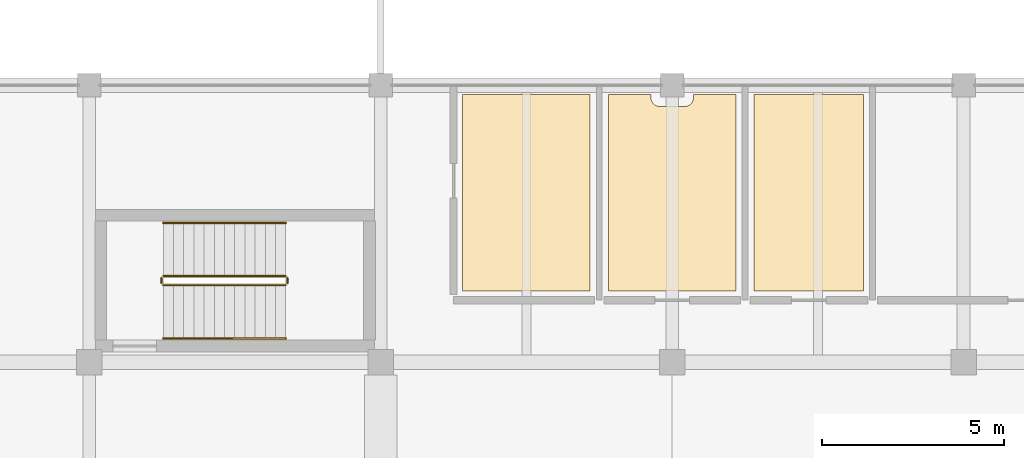
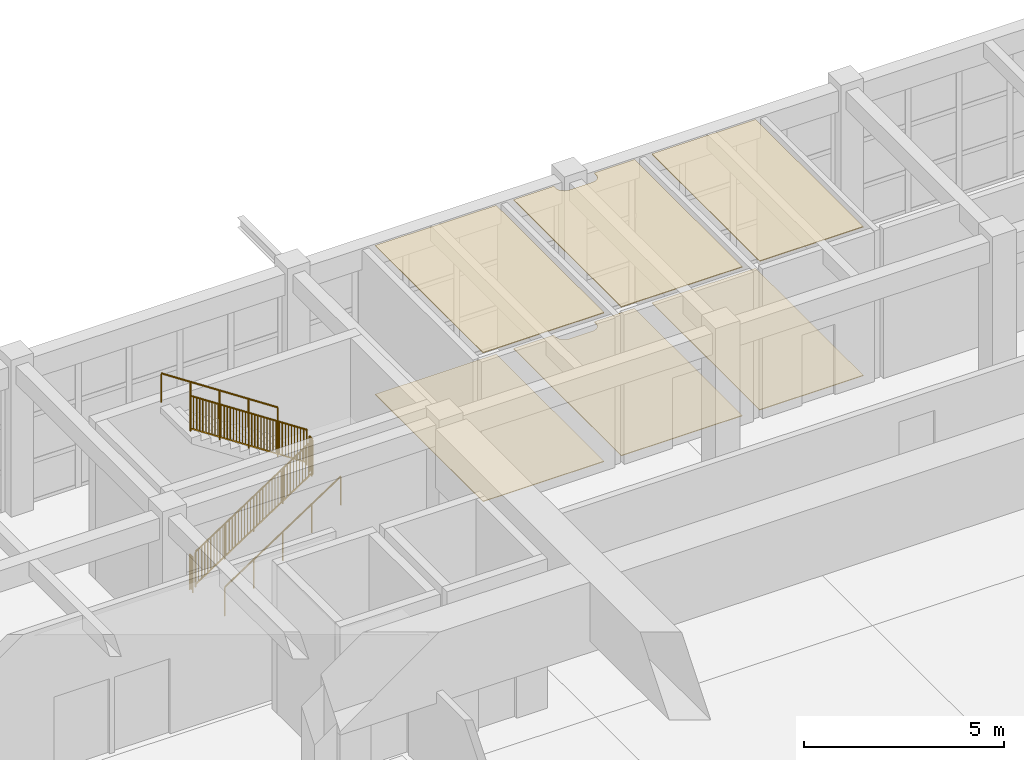
# One storey, part 45 of 50: 6 coverings, 6 railings.
"""IFC4 building model written with IfcOpenShell, lengths in metres."""

from ifc_helpers import new_model, si_unit, direction, frame, origin, origin_2d, place, context, subcontext, project, spatial, polyline, rectangle, circle, outline, extrude, material, layer, layer_set, type_object, element, save


model = new_model("IFC4")

# Units and contexts
model_context = context("Model", 3, precision=1e-05, world=origin(), true_north=direction((0.0, 1.0)))
body_context = subcontext(model_context, "Body", "Model", "MODEL_VIEW")
ifc_project = project(units=[si_unit("LENGTHUNIT", "METRE"), si_unit("AREAUNIT", "SQUARE_METRE"), si_unit("VOLUMEUNIT", "CUBIC_METRE"), si_unit("PLANEANGLEUNIT", "RADIAN"), si_unit("MASSUNIT", "GRAM", prefix="KILO")], contexts=[model_context])

# Site, building, storey
site_placement = place(None, origin())
site = spatial("IfcSite", under=ifc_project, at=site_placement, CompositionType="ELEMENT")
building_placement = place(site_placement, origin())
building = spatial("IfcBuilding", under=site, at=building_placement, Name="Zantavel Square City Hall", CompositionType="ELEMENT")
storey_placement = place(building_placement, frame((0.0, 0.0, 18.89990234375)))
storey = spatial("IfcBuildingStorey", under=building, at=storey_placement, Name="L05", CompositionType="ELEMENT", Elevation=18.89990234375)

# Railings
ifc_material_1 = material(Name="Steel ASTM A500 Grade B", Category="steel")
railing_type_1 = type_object("IfcRailingType", Name="Atrium & Gallery Steel Guard Railing 1100mm", PredefinedType="GUARDRAIL", material=ifc_material_1)
railing_1_placement = place(storey_placement, frame((66.030029296875, 62.909912109375, 0.184814453125)))
element("IfcRailing", 1, at=railing_1_placement, inside=storey, type_object=railing_type_1, Name="L05 ST5 stair guard 1", PredefinedType="GUARDRAIL", context=body_context, shape_type="SweptSolid", body=[
    extrude(circle(Radius=0.02392578125, at=origin_2d()), frame((0.0, 0.0, 1.076171875), z_axis=(0.834858096282, 0.0, 0.550465220583), x_axis=(0.0, 1.0, 0.0)), (0.0, 0.0, 1.0), 4.0244140625),
    extrude(rectangle(XDim=0.031982421875, YDim=0.031982421875, at=origin_2d()), frame((0.0, 0.0, 0.080078125), z_axis=(0.834858096282, 0.0, 0.550465220583), x_axis=(0.0, 1.0, 0.0)), (0.0, 0.0, 1.0), 4.0244140625),
    extrude(rectangle(XDim=0.02197265625, YDim=0.02197265625, at=origin_2d()), frame((0.08837890625, 0.0, 0.13818359375)), (0.0, 0.0, 1.0), 0.971923828125),
    extrude(rectangle(XDim=0.02197265625, YDim=0.02197265625, at=origin_2d()), frame((0.1767578125, 0.0, 0.196533203125)), (0.0, 0.0, 1.0), 0.971923828125),
    extrude(rectangle(XDim=0.02197265625, YDim=0.02197265625, at=origin_2d()), frame((0.26513671875, 0.0, 0.2548828125)), (0.0, 0.0, 1.0), 0.971923828125),
    extrude(rectangle(XDim=0.02197265625, YDim=0.02197265625, at=origin_2d()), frame((0.353759765625, 0.0, 0.313232421875)), (0.0, 0.0, 1.0), 0.971923828125),
    extrude(rectangle(XDim=0.02197265625, YDim=0.02197265625, at=origin_2d()), frame((0.442138671875, 0.0, 0.37158203125)), (0.0, 0.0, 1.0), 0.971923828125),
    extrude(rectangle(XDim=0.02197265625, YDim=0.02197265625, at=origin_2d()), frame((0.530517578125, 0.0, 0.4296875)), (0.0, 0.0, 1.0), 0.971923828125),
    extrude(rectangle(XDim=0.02197265625, YDim=0.02197265625, at=origin_2d()), frame((0.618896484375, 0.0, 0.488037109375)), (0.0, 0.0, 1.0), 0.971923828125),
    extrude(rectangle(XDim=0.02197265625, YDim=0.02197265625, at=origin_2d()), frame((0.707275390625, 0.0, 0.54638671875)), (0.0, 0.0, 1.0), 0.971923828125),
    extrude(rectangle(XDim=0.02197265625, YDim=0.02197265625, at=origin_2d()), frame((0.795654296875, 0.0, 0.604736328125)), (0.0, 0.0, 1.0), 0.971923828125),
    extrude(rectangle(XDim=0.02197265625, YDim=0.02197265625, at=origin_2d()), frame((0.88427734375, 0.0, 0.6630859375)), (0.0, 0.0, 1.0), 0.971923828125),
    extrude(rectangle(XDim=0.02197265625, YDim=0.02197265625, at=origin_2d()), frame((0.97265625, 0.0, 0.72119140625)), (0.0, 0.0, 1.0), 0.971923828125),
    extrude(rectangle(XDim=0.02197265625, YDim=0.02197265625, at=origin_2d()), frame((1.06103515625, 0.0, 0.779541015625)), (0.0, 0.0, 1.0), 0.971923828125),
    extrude(rectangle(XDim=0.02197265625, YDim=0.02197265625, at=origin_2d()), frame((1.1494140625, 0.0, 0.837890625)), (0.0, 0.0, 1.0), 0.971923828125),
    extrude(rectangle(XDim=0.02197265625, YDim=0.02197265625, at=origin_2d()), frame((1.23779296875, 0.0, 0.896240234375)), (0.0, 0.0, 1.0), 0.971923828125),
    extrude(rectangle(XDim=0.02197265625, YDim=0.02197265625, at=origin_2d()), frame((1.326171875, 0.0, 0.95458984375)), (0.0, 0.0, 1.0), 0.971923828125),
    extrude(rectangle(XDim=0.02197265625, YDim=0.02197265625, at=origin_2d()), frame((1.414794921875, 0.0, 1.0126953125)), (0.0, 0.0, 1.0), 0.971923828125),
    extrude(rectangle(XDim=0.02197265625, YDim=0.02197265625, at=origin_2d()), frame((1.503173828125, 0.0, 1.071044921875)), (0.0, 0.0, 1.0), 0.971923828125),
    extrude(rectangle(XDim=0.02197265625, YDim=0.02197265625, at=origin_2d()), frame((1.591552734375, 0.0, 1.12939453125)), (0.0, 0.0, 1.0), 0.971923828125),
    extrude(rectangle(XDim=0.02197265625, YDim=0.02197265625, at=origin_2d()), frame((1.768310546875, 0.0, 1.245849609375)), (0.0, 0.0, 1.0), 0.971923828125),
    extrude(rectangle(XDim=0.02197265625, YDim=0.02197265625, at=origin_2d()), frame((1.856689453125, 0.0, 1.30419921875)), (0.0, 0.0, 1.0), 0.971923828125),
    extrude(rectangle(XDim=0.02197265625, YDim=0.02197265625, at=origin_2d()), frame((1.945068359375, 0.0, 1.362548828125)), (0.0, 0.0, 1.0), 0.971923828125),
    extrude(rectangle(XDim=0.02197265625, YDim=0.02197265625, at=origin_2d()), frame((2.03369140625, 0.0, 1.4208984375)), (0.0, 0.0, 1.0), 0.971923828125),
    extrude(rectangle(XDim=0.02197265625, YDim=0.02197265625, at=origin_2d()), frame((2.1220703125, 0.0, 1.479248046875)), (0.0, 0.0, 1.0), 0.971923828125),
    extrude(rectangle(XDim=0.02197265625, YDim=0.02197265625, at=origin_2d()), frame((2.21044921875, 0.0, 1.537353515625)), (0.0, 0.0, 1.0), 0.971923828125),
    extrude(rectangle(XDim=0.02197265625, YDim=0.02197265625, at=origin_2d()), frame((2.298828125, 0.0, 1.595703125)), (0.0, 0.0, 1.0), 0.971923828125),
    extrude(rectangle(XDim=0.02197265625, YDim=0.02197265625, at=origin_2d()), frame((2.38720703125, 0.0, 1.654052734375)), (0.0, 0.0, 1.0), 0.971923828125),
    extrude(rectangle(XDim=0.02197265625, YDim=0.02197265625, at=origin_2d()), frame((2.4755859375, 0.0, 1.71240234375)), (0.0, 0.0, 1.0), 0.971923828125),
    extrude(rectangle(XDim=0.02197265625, YDim=0.02197265625, at=origin_2d()), frame((2.564208984375, 0.0, 1.770751953125)), (0.0, 0.0, 1.0), 0.971923828125),
    extrude(rectangle(XDim=0.02197265625, YDim=0.02197265625, at=origin_2d()), frame((2.652587890625, 0.0, 1.828857421875)), (0.0, 0.0, 1.0), 0.971923828125),
    extrude(rectangle(XDim=0.02197265625, YDim=0.02197265625, at=origin_2d()), frame((2.740966796875, 0.0, 1.88720703125)), (0.0, 0.0, 1.0), 0.971923828125),
    extrude(rectangle(XDim=0.02197265625, YDim=0.02197265625, at=origin_2d()), frame((2.829345703125, 0.0, 1.945556640625)), (0.0, 0.0, 1.0), 0.971923828125),
    extrude(rectangle(XDim=0.02197265625, YDim=0.02197265625, at=origin_2d()), frame((2.917724609375, 0.0, 2.00390625)), (0.0, 0.0, 1.0), 0.971923828125),
    extrude(rectangle(XDim=0.02197265625, YDim=0.02197265625, at=origin_2d()), frame((3.006103515625, 0.0, 2.062255859375)), (0.0, 0.0, 1.0), 0.971923828125),
    extrude(rectangle(XDim=0.02197265625, YDim=0.02197265625, at=origin_2d()), frame((3.0947265625, 0.0, 2.120361328125)), (0.0, 0.0, 1.0), 0.971923828125),
    extrude(rectangle(XDim=0.02197265625, YDim=0.02197265625, at=origin_2d()), frame((3.18310546875, 0.0, 2.1787109375)), (0.0, 0.0, 1.0), 0.971923828125),
    extrude(rectangle(XDim=0.02197265625, YDim=0.02197265625, at=origin_2d()), frame((3.271484375, 0.0, 2.237060546875)), (0.0, 0.0, 1.0), 0.971923828125),
    extrude(circle(Radius=0.02099609375, at=origin_2d()), origin(), (0.0, 0.0, 1.0), 1.052001953125),
    extrude(circle(Radius=0.02099609375, at=origin_2d()), frame((0.83984375, 0.0, 0.5537109375)), (0.0, 0.0, 1.0), 1.052001953125),
    extrude(circle(Radius=0.02099609375, at=origin_2d()), frame((1.679931640625, 0.0, 1.107666015625)), (0.0, 0.0, 1.0), 1.052001953125),
    extrude(circle(Radius=0.02099609375, at=origin_2d()), frame((2.52001953125, 0.0, 1.66162109375)), (0.0, 0.0, 1.0), 1.052001953125),
    extrude(circle(Radius=0.02099609375, at=origin_2d()), frame((3.35986328125, 0.0, 2.21533203125)), (0.0, 0.0, 1.0), 1.052001953125),
])
railing_2_placement = place(storey_placement, frame((69.43994140625, 62.9599609375, 2.400146484375)))
element("IfcRailing", 2, at=railing_2_placement, inside=storey, type_object=railing_type_1, Name="L05 ST5 stair guard 2", PredefinedType="GUARDRAIL", context=body_context, shape_type="SweptSolid", body=[
    extrude(circle(Radius=0.02392578125, at=origin_2d()), frame((0.0, 0.0, 1.076171875), z_axis=(0.0, 1.0, 0.0), x_axis=(-1.0, 0.0, 0.0)), (0.0, 0.0, 1.0), 0.150146484375),
    extrude(rectangle(XDim=0.031982421875, YDim=0.031982421875, at=origin_2d()), frame((0.0, 0.0, 0.080078125), z_axis=(0.0, 1.0, 0.0), x_axis=(-1.0, 0.0, 0.0)), (0.0, 0.0, 1.0), 0.150146484375),
    extrude(rectangle(XDim=0.02197265625, YDim=0.02197265625, at=origin_2d()), frame((0.0, 0.0751953125, 0.080078125)), (0.0, 0.0, 1.0), 0.971923828125),
    extrude(circle(Radius=0.02099609375, at=origin_2d()), origin(), (0.0, 0.0, 1.0), 1.052001953125),
    extrude(circle(Radius=0.02099609375, at=origin_2d()), frame((0.0, 0.150146484375, 0.0)), (0.0, 0.0, 1.0), 1.052001953125),
])
railing_3_placement = place(storey_placement, frame((69.389892578125, 63.159912109375, 2.584716796875)))
element("IfcRailing", 3, at=railing_3_placement, inside=storey, type_object=railing_type_1, Name="L05 ST5 stair guard 3", PredefinedType="GUARDRAIL", context=body_context, shape_type="SweptSolid", body=[
    extrude(circle(Radius=0.02392578125, at=origin_2d()), frame((0.0, 0.0, 1.076171875), z_axis=(-0.834858096282, 0.0, 0.550465220583), x_axis=(0.0, -1.0, 0.0)), (0.0, 0.0, 1.0), 4.0244140625),
    extrude(rectangle(XDim=0.031982421875, YDim=0.031982421875, at=origin_2d()), frame((0.0, 0.0, 0.080078125), z_axis=(-0.834858096282, 0.0, 0.550465220583), x_axis=(0.0, -1.0, 0.0)), (0.0, 0.0, 1.0), 4.0244140625),
    extrude(rectangle(XDim=0.02197265625, YDim=0.02197265625, at=origin_2d()), frame((-0.08837890625, 0.0, 0.13818359375)), (0.0, 0.0, 1.0), 0.971923828125),
    extrude(rectangle(XDim=0.02197265625, YDim=0.02197265625, at=origin_2d()), frame((-0.1767578125, 0.0, 0.196533203125)), (0.0, 0.0, 1.0), 0.971923828125),
    extrude(rectangle(XDim=0.02197265625, YDim=0.02197265625, at=origin_2d()), frame((-0.26513671875, 0.0, 0.2548828125)), (0.0, 0.0, 1.0), 0.971923828125),
    extrude(rectangle(XDim=0.02197265625, YDim=0.02197265625, at=origin_2d()), frame((-0.353759765625, 0.0, 0.313232421875)), (0.0, 0.0, 1.0), 0.971923828125),
    extrude(rectangle(XDim=0.02197265625, YDim=0.02197265625, at=origin_2d()), frame((-0.442138671875, 0.0, 0.37158203125)), (0.0, 0.0, 1.0), 0.971923828125),
    extrude(rectangle(XDim=0.02197265625, YDim=0.02197265625, at=origin_2d()), frame((-0.530517578125, 0.0, 0.4296875)), (0.0, 0.0, 1.0), 0.971923828125),
    extrude(rectangle(XDim=0.02197265625, YDim=0.02197265625, at=origin_2d()), frame((-0.618896484375, 0.0, 0.488037109375)), (0.0, 0.0, 1.0), 0.971923828125),
    extrude(rectangle(XDim=0.02197265625, YDim=0.02197265625, at=origin_2d()), frame((-0.707275390625, 0.0, 0.54638671875)), (0.0, 0.0, 1.0), 0.971923828125),
    extrude(rectangle(XDim=0.02197265625, YDim=0.02197265625, at=origin_2d()), frame((-0.795654296875, 0.0, 0.604736328125)), (0.0, 0.0, 1.0), 0.971923828125),
    extrude(rectangle(XDim=0.02197265625, YDim=0.02197265625, at=origin_2d()), frame((-0.88427734375, 0.0, 0.6630859375)), (0.0, 0.0, 1.0), 0.971923828125),
    extrude(rectangle(XDim=0.02197265625, YDim=0.02197265625, at=origin_2d()), frame((-0.97265625, 0.0, 0.72119140625)), (0.0, 0.0, 1.0), 0.971923828125),
    extrude(rectangle(XDim=0.02197265625, YDim=0.02197265625, at=origin_2d()), frame((-1.06103515625, 0.0, 0.779541015625)), (0.0, 0.0, 1.0), 0.971923828125),
    extrude(rectangle(XDim=0.02197265625, YDim=0.02197265625, at=origin_2d()), frame((-1.1494140625, 0.0, 0.837890625)), (0.0, 0.0, 1.0), 0.971923828125),
    extrude(rectangle(XDim=0.02197265625, YDim=0.02197265625, at=origin_2d()), frame((-1.23779296875, 0.0, 0.896240234375)), (0.0, 0.0, 1.0), 0.971923828125),
    extrude(rectangle(XDim=0.02197265625, YDim=0.02197265625, at=origin_2d()), frame((-1.326171875, 0.0, 0.95458984375)), (0.0, 0.0, 1.0), 0.971923828125),
    extrude(rectangle(XDim=0.02197265625, YDim=0.02197265625, at=origin_2d()), frame((-1.414794921875, 0.0, 1.0126953125)), (0.0, 0.0, 1.0), 0.971923828125),
    extrude(rectangle(XDim=0.02197265625, YDim=0.02197265625, at=origin_2d()), frame((-1.503173828125, 0.0, 1.071044921875)), (0.0, 0.0, 1.0), 0.971923828125),
    extrude(rectangle(XDim=0.02197265625, YDim=0.02197265625, at=origin_2d()), frame((-1.591552734375, 0.0, 1.12939453125)), (0.0, 0.0, 1.0), 0.971923828125),
    extrude(rectangle(XDim=0.02197265625, YDim=0.02197265625, at=origin_2d()), frame((-1.768310546875, 0.0, 1.245849609375)), (0.0, 0.0, 1.0), 0.971923828125),
    extrude(rectangle(XDim=0.02197265625, YDim=0.02197265625, at=origin_2d()), frame((-1.856689453125, 0.0, 1.30419921875)), (0.0, 0.0, 1.0), 0.971923828125),
    extrude(rectangle(XDim=0.02197265625, YDim=0.02197265625, at=origin_2d()), frame((-1.945068359375, 0.0, 1.362548828125)), (0.0, 0.0, 1.0), 0.971923828125),
    extrude(rectangle(XDim=0.02197265625, YDim=0.02197265625, at=origin_2d()), frame((-2.03369140625, 0.0, 1.4208984375)), (0.0, 0.0, 1.0), 0.971923828125),
    extrude(rectangle(XDim=0.02197265625, YDim=0.02197265625, at=origin_2d()), frame((-2.1220703125, 0.0, 1.479248046875)), (0.0, 0.0, 1.0), 0.971923828125),
    extrude(rectangle(XDim=0.02197265625, YDim=0.02197265625, at=origin_2d()), frame((-2.21044921875, 0.0, 1.537353515625)), (0.0, 0.0, 1.0), 0.971923828125),
    extrude(rectangle(XDim=0.02197265625, YDim=0.02197265625, at=origin_2d()), frame((-2.298828125, 0.0, 1.595703125)), (0.0, 0.0, 1.0), 0.971923828125),
    extrude(rectangle(XDim=0.02197265625, YDim=0.02197265625, at=origin_2d()), frame((-2.38720703125, 0.0, 1.654052734375)), (0.0, 0.0, 1.0), 0.971923828125),
    extrude(rectangle(XDim=0.02197265625, YDim=0.02197265625, at=origin_2d()), frame((-2.4755859375, 0.0, 1.71240234375)), (0.0, 0.0, 1.0), 0.971923828125),
    extrude(rectangle(XDim=0.02197265625, YDim=0.02197265625, at=origin_2d()), frame((-2.564208984375, 0.0, 1.770751953125)), (0.0, 0.0, 1.0), 0.971923828125),
    extrude(rectangle(XDim=0.02197265625, YDim=0.02197265625, at=origin_2d()), frame((-2.652587890625, 0.0, 1.828857421875)), (0.0, 0.0, 1.0), 0.971923828125),
    extrude(rectangle(XDim=0.02197265625, YDim=0.02197265625, at=origin_2d()), frame((-2.740966796875, 0.0, 1.88720703125)), (0.0, 0.0, 1.0), 0.971923828125),
    extrude(rectangle(XDim=0.02197265625, YDim=0.02197265625, at=origin_2d()), frame((-2.829345703125, 0.0, 1.945556640625)), (0.0, 0.0, 1.0), 0.971923828125),
    extrude(rectangle(XDim=0.02197265625, YDim=0.02197265625, at=origin_2d()), frame((-2.917724609375, 0.0, 2.00390625)), (0.0, 0.0, 1.0), 0.971923828125),
    extrude(rectangle(XDim=0.02197265625, YDim=0.02197265625, at=origin_2d()), frame((-3.006103515625, 0.0, 2.062255859375)), (0.0, 0.0, 1.0), 0.971923828125),
    extrude(rectangle(XDim=0.02197265625, YDim=0.02197265625, at=origin_2d()), frame((-3.0947265625, 0.0, 2.120361328125)), (0.0, 0.0, 1.0), 0.971923828125),
    extrude(rectangle(XDim=0.02197265625, YDim=0.02197265625, at=origin_2d()), frame((-3.18310546875, 0.0, 2.1787109375)), (0.0, 0.0, 1.0), 0.971923828125),
    extrude(rectangle(XDim=0.02197265625, YDim=0.02197265625, at=origin_2d()), frame((-3.271484375, 0.0, 2.237060546875)), (0.0, 0.0, 1.0), 0.971923828125),
    extrude(circle(Radius=0.02099609375, at=origin_2d()), origin(), (0.0, 0.0, 1.0), 1.052001953125),
    extrude(circle(Radius=0.02099609375, at=origin_2d()), frame((-0.83984375, 0.0, 0.5537109375)), (0.0, 0.0, 1.0), 1.052001953125),
    extrude(circle(Radius=0.02099609375, at=origin_2d()), frame((-1.679931640625, 0.0, 1.107666015625)), (0.0, 0.0, 1.0), 1.052001953125),
    extrude(circle(Radius=0.02099609375, at=origin_2d()), frame((-2.52001953125, 0.0, 1.66162109375)), (0.0, 0.0, 1.0), 1.052001953125),
    extrude(circle(Radius=0.02099609375, at=origin_2d()), frame((-3.35986328125, 0.0, 2.21533203125)), (0.0, 0.0, 1.0), 1.052001953125),
])
railing_4_placement = place(storey_placement, frame((65.97998046875, 62.9599609375, 0.0)))
element("IfcRailing", 4, at=railing_4_placement, inside=storey, type_object=railing_type_1, Name="L05 ST5 stair guard 4", PredefinedType="GUARDRAIL", context=body_context, shape_type="SweptSolid", body=[
    extrude(circle(Radius=0.02392578125, at=origin_2d()), frame((0.0, 0.0, 1.076171875), z_axis=(0.0, 1.0, 0.0), x_axis=(-1.0, 0.0, 0.0)), (0.0, 0.0, 1.0), 0.150146484375),
    extrude(rectangle(XDim=0.031982421875, YDim=0.031982421875, at=origin_2d()), frame((0.0, 0.0, 0.080078125), z_axis=(0.0, 1.0, 0.0), x_axis=(-1.0, 0.0, 0.0)), (0.0, 0.0, 1.0), 0.150146484375),
    extrude(rectangle(XDim=0.02197265625, YDim=0.02197265625, at=origin_2d()), frame((0.0, 0.0751953125, 0.080078125)), (0.0, 0.0, 1.0), 0.971923828125),
    extrude(circle(Radius=0.02099609375, at=origin_2d()), origin(), (0.0, 0.0, 1.0), 1.052001953125),
    extrude(circle(Radius=0.02099609375, at=origin_2d()), frame((0.0, 0.150146484375, 0.0)), (0.0, 0.0, 1.0), 1.052001953125),
])

# Coverings
ifc_material_2 = material(Name="Terrazzo stone finish", Category="masonry")
ifc_layer_1 = layer(ifc_material_2, 0.02001953125, Name="Terrazzo stone finish")
ifc_layer_set_1 = layer_set([ifc_layer_1], Name="Terrazzo stone finish")
covering_type_1 = type_object("IfcCoveringType", Name="Honed Cantera-Terrazzo Civic Flooring 20mm", PredefinedType="FLOORING", material=ifc_layer_set_1)
covering_1_placement = place(storey_placement, origin())
element("IfcCovering", 5, at=covering_1_placement, inside=storey, type_object=covering_type_1, Name="L05 L05 Mens Restroom Terrazzo Flooring", PredefinedType="FLOORING", context=body_context, shape_type="SweptSolid", body=[
    extrude(outline(polyline([(74.25, 62.75), (74.25, 68.14990234375), (77.75, 68.14990234375), (77.75, 62.75), (74.25, 62.75)])), origin(), (0.0, 0.0, 1.0), 0.02001953125),
])
covering_2_placement = place(storey_placement, origin())
element("IfcCovering", 6, at=covering_2_placement, inside=storey, type_object=covering_type_1, Name="L05 L05 Womens Restroom Terrazzo Flooring", PredefinedType="FLOORING", context=body_context, shape_type="SweptSolid", body=[
    extrude(outline(polyline([(79.416259765625, 68.04052734375), (79.419921875, 68.01611328125), (79.42578125, 67.992431640625), (79.43408203125, 67.96923828125), (79.444580078125, 67.947265625), (79.45703125, 67.926025390625), (79.4716796875, 67.906494140625), (79.48828125, 67.88818359375), (79.50634765625, 67.87158203125), (79.526123046875, 67.857177734375), (79.547119140625, 67.844482421875), (79.5693359375, 67.833984375), (79.59228515625, 67.82568359375), (79.6162109375, 67.81982421875), (79.640380859375, 67.816162109375), (79.6650390625, 67.81494140625), (80.3349609375, 67.81494140625), (80.359619140625, 67.816162109375), (80.3837890625, 67.81982421875), (80.40771484375, 67.82568359375), (80.4306640625, 67.833984375), (80.452880859375, 67.844482421875), (80.473876953125, 67.857177734375), (80.49365234375, 67.87158203125), (80.51171875, 67.88818359375), (80.5283203125, 67.906494140625), (80.54296875, 67.926025390625), (80.555419921875, 67.947265625), (80.56591796875, 67.96923828125), (80.57421875, 67.992431640625), (80.580078125, 68.01611328125), (80.583740234375, 68.04052734375), (80.5849609375, 68.06494140625), (80.5849609375, 68.14990234375), (81.75, 68.14990234375), (81.75, 62.75), (78.25, 62.75), (78.25, 68.14990234375), (79.4150390625, 68.14990234375), (79.4150390625, 68.06494140625), (79.416259765625, 68.04052734375)])), origin(), (0.0, 0.0, 1.0), 0.02001953125),
])
covering_3_placement = place(storey_placement, origin())
element("IfcCovering", 7, at=covering_3_placement, inside=storey, type_object=covering_type_1, Name="L05 L05 Accessible WC Terrazzo Flooring", PredefinedType="FLOORING", context=body_context, shape_type="SweptSolid", body=[
    extrude(outline(polyline([(82.25, 62.75), (82.25, 68.14990234375), (85.25, 68.14990234375), (85.25, 62.75), (82.25, 62.75)])), origin(), (0.0, 0.0, 1.0), 0.02001953125),
])
ifc_material_3 = material(Name="Gypsum acoustic stud assembly", Category="masonry")
ifc_layer_2 = layer(ifc_material_3, 0.02490234375, Name="Gypsum acoustic stud assembly")
ifc_layer_set_2 = layer_set([ifc_layer_2], Name="Gypsum acoustic stud assembly")
covering_type_2 = type_object("IfcCoveringType", Name="Perforated Gypsum Acoustic Ceiling 25mm", PredefinedType="CEILING", material=ifc_layer_set_2)
covering_4_placement = place(storey_placement, frame((0.0, 0.0, 4.545166015625)))
element("IfcCovering", 8, at=covering_4_placement, inside=storey, type_object=covering_type_2, Name="L05 L05 Mens Restroom Acoustic Ceiling", PredefinedType="CEILING", context=body_context, shape_type="SweptSolid", body=[
    extrude(outline(polyline([(74.25, 62.75), (74.25, 68.14990234375), (77.75, 68.14990234375), (77.75, 62.75), (74.25, 62.75)])), origin(), (0.0, 0.0, 1.0), 0.02490234375),
])
covering_5_placement = place(storey_placement, frame((0.0, 0.0, 4.545166015625)))
element("IfcCovering", 9, at=covering_5_placement, inside=storey, type_object=covering_type_2, Name="L05 L05 Womens Restroom Acoustic Ceiling", PredefinedType="CEILING", context=body_context, shape_type="SweptSolid", body=[
    extrude(outline(polyline([(79.416259765625, 68.04052734375), (79.419921875, 68.01611328125), (79.42578125, 67.992431640625), (79.43408203125, 67.96923828125), (79.444580078125, 67.947265625), (79.45703125, 67.926025390625), (79.4716796875, 67.906494140625), (79.48828125, 67.88818359375), (79.50634765625, 67.87158203125), (79.526123046875, 67.857177734375), (79.547119140625, 67.844482421875), (79.5693359375, 67.833984375), (79.59228515625, 67.82568359375), (79.6162109375, 67.81982421875), (79.640380859375, 67.816162109375), (79.6650390625, 67.81494140625), (80.3349609375, 67.81494140625), (80.359619140625, 67.816162109375), (80.3837890625, 67.81982421875), (80.40771484375, 67.82568359375), (80.4306640625, 67.833984375), (80.452880859375, 67.844482421875), (80.473876953125, 67.857177734375), (80.49365234375, 67.87158203125), (80.51171875, 67.88818359375), (80.5283203125, 67.906494140625), (80.54296875, 67.926025390625), (80.555419921875, 67.947265625), (80.56591796875, 67.96923828125), (80.57421875, 67.992431640625), (80.580078125, 68.01611328125), (80.583740234375, 68.04052734375), (80.5849609375, 68.06494140625), (80.5849609375, 68.14990234375), (81.75, 68.14990234375), (81.75, 62.75), (78.25, 62.75), (78.25, 68.14990234375), (79.4150390625, 68.14990234375), (79.4150390625, 68.06494140625), (79.416259765625, 68.04052734375)])), origin(), (0.0, 0.0, 1.0), 0.02490234375),
])
covering_6_placement = place(storey_placement, frame((0.0, 0.0, 4.545166015625)))
element("IfcCovering", 10, at=covering_6_placement, inside=storey, type_object=covering_type_2, Name="L05 L05 Accessible WC Acoustic Ceiling", PredefinedType="CEILING", context=body_context, shape_type="SweptSolid", body=[
    extrude(outline(polyline([(82.25, 62.75), (82.25, 68.14990234375), (85.25, 68.14990234375), (85.25, 62.75), (82.25, 62.75)])), origin(), (0.0, 0.0, 1.0), 0.02490234375),
])

# Railings
ifc_material_4 = material(Name="Stainless steel 316", Category="steel")
railing_type_2 = type_object("IfcRailingType", Name="Stair Stainless Steel Handrail 900mm", PredefinedType="HANDRAIL", material=ifc_material_4)
railing_5_placement = place(storey_placement, frame((66.030029296875, 61.449951171875, 0.184814453125)))
element("IfcRailing", 11, at=railing_5_placement, inside=storey, type_object=railing_type_2, Name="L05 ST5 stair handrail 1", PredefinedType="HANDRAIL", context=body_context, shape_type="SweptSolid", body=[
    extrude(circle(Radius=0.02392578125, at=origin_2d()), frame((0.0, 0.0, 0.8759765625), z_axis=(0.834858096282, 0.0, 0.550465220583), x_axis=(0.0, 1.0, 0.0)), (0.0, 0.0, 1.0), 4.0244140625),
    extrude(circle(Radius=0.02099609375, at=origin_2d()), origin(), (0.0, 0.0, 1.0), 0.851806640625),
    extrude(circle(Radius=0.02099609375, at=origin_2d()), frame((0.83984375, 0.0, 0.5537109375)), (0.0, 0.0, 1.0), 0.851806640625),
    extrude(circle(Radius=0.02099609375, at=origin_2d()), frame((1.679931640625, 0.0, 1.107666015625)), (0.0, 0.0, 1.0), 0.851806640625),
    extrude(circle(Radius=0.02099609375, at=origin_2d()), frame((2.52001953125, 0.0, 1.66162109375)), (0.0, 0.0, 1.0), 0.851806640625),
    extrude(circle(Radius=0.02099609375, at=origin_2d()), frame((3.35986328125, 0.0, 2.21533203125)), (0.0, 0.0, 1.0), 0.851806640625),
])
railing_6_placement = place(storey_placement, frame((69.389892578125, 64.6201171875, 2.584716796875)))
element("IfcRailing", 12, at=railing_6_placement, inside=storey, type_object=railing_type_2, Name="L05 ST5 stair handrail 2", PredefinedType="HANDRAIL", context=body_context, shape_type="SweptSolid", body=[
    extrude(circle(Radius=0.02392578125, at=origin_2d()), frame((0.0, 0.0, 0.8759765625), z_axis=(-0.834858096282, 0.0, 0.550465220583), x_axis=(0.0, -1.0, 0.0)), (0.0, 0.0, 1.0), 4.0244140625),
    extrude(circle(Radius=0.02099609375, at=origin_2d()), origin(), (0.0, 0.0, 1.0), 0.851806640625),
    extrude(circle(Radius=0.02099609375, at=origin_2d()), frame((-0.83984375, 0.0, 0.5537109375)), (0.0, 0.0, 1.0), 0.851806640625),
    extrude(circle(Radius=0.02099609375, at=origin_2d()), frame((-1.679931640625, 0.0, 1.107666015625)), (0.0, 0.0, 1.0), 0.851806640625),
    extrude(circle(Radius=0.02099609375, at=origin_2d()), frame((-2.52001953125, 0.0, 1.66162109375)), (0.0, 0.0, 1.0), 0.851806640625),
    extrude(circle(Radius=0.02099609375, at=origin_2d()), frame((-3.35986328125, 0.0, 2.21533203125)), (0.0, 0.0, 1.0), 0.851806640625),
])

save(model, "model.ifc")
